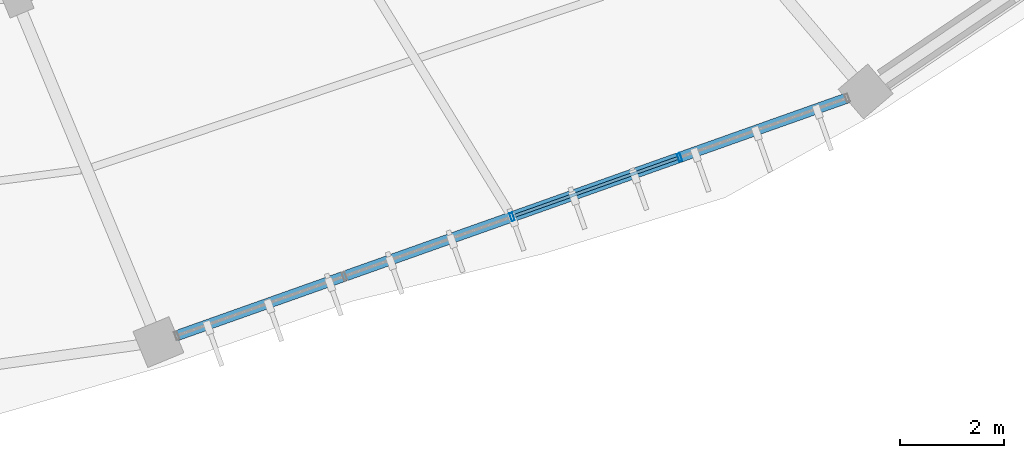
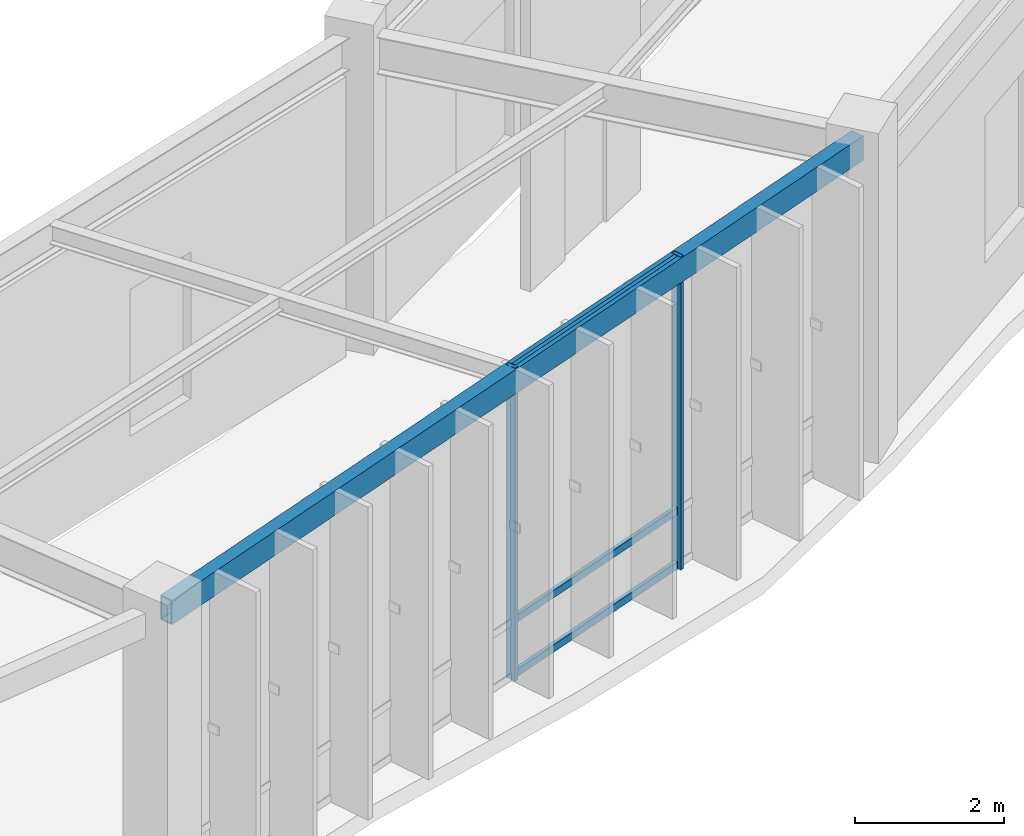
# One storey, part 62 of 157: 5 members, 1 beam, 1 element without a shape of its own.
"""IFC4 building model written with IfcOpenShell, lengths in metres."""

from ifc_helpers import new_model, si_unit, direction, frame, origin, origin_2d, place, context, subcontext, project, spatial, hollow_rectangle, extrude, material, material_profile, profile_set, type_object, element, aggregate, save


model = new_model("IFC4")

# Units and contexts
model_context = context("Model", 3, precision=1e-05, world=origin(), true_north=direction((0.0, 1.0)))
body_context = subcontext(model_context, "Body", "Model", "MODEL_VIEW")
ifc_project = project(units=[si_unit("LENGTHUNIT", "METRE"), si_unit("AREAUNIT", "SQUARE_METRE"), si_unit("VOLUMEUNIT", "CUBIC_METRE"), si_unit("PLANEANGLEUNIT", "RADIAN"), si_unit("MASSUNIT", "GRAM", prefix="KILO"), si_unit("THERMODYNAMICTEMPERATUREUNIT", "KELVIN"), si_unit("POWERUNIT", "WATT")], contexts=[model_context])

# Site, building, storey
site_placement = place(None, origin())
site = spatial("IfcSite", under=ifc_project, at=site_placement, CompositionType="ELEMENT")
building_placement = place(site_placement, origin())
building = spatial("IfcBuilding", under=site, at=building_placement, Name="Darbajah Civic Hall", CompositionType="ELEMENT")
storey_placement = place(building_placement, origin())
storey = spatial("IfcBuildingStorey", under=building, at=storey_placement, Name="L00", CompositionType="ELEMENT", Elevation=0.0)

# Curtain wall, members
ifc_material_1 = material(Name="Anodised Bronze Aluminium and Low-E Glazing", Category="aluminium")
curtain_wall_type = type_object("IfcCurtainWallType", Name="Unitised Curtain Wall CW-15 13700x5100", PredefinedType="USERDEFINED", material=ifc_material_1)
curtain_wall_placement = place(storey_placement, origin())
curtain_wall = element("IfcCurtainWall", 1, at=curtain_wall_placement, inside=storey, type_object=curtain_wall_type, Name="L00 unitised curtain wall CW-V1O-L00-16", ObjectType="UNITISED CURTAIN WALL", PredefinedType="USERDEFINED")
ifc_material_2 = material(Name="Anodised Bronze Aluminium", Category="aluminium")
ifc_material_profile_1 = material_profile(ifc_material_2, hollow_rectangle(XDim=0.06005859375, YDim=0.159912109375, WallThickness=0.00341796875, at=origin_2d()), Name="ALU MULLION 60x160")
ifc_profile_set_1 = profile_set([ifc_material_profile_1], Name="Anodised Bronze Aluminium")
member_type_1 = type_object("IfcMemberType", Name="ALU MULLION 60x160", PredefinedType="MULLION", material=ifc_profile_set_1)
member_1_placement = place(storey_placement, frame((115.41943359375, 64.956787109375, 0.0), z_axis=(0.0, 0.0, 1.0), x_axis=(0.94252491309, 0.334135882844, 0.0)))
member_1 = element("IfcMember", 2, at=member_1_placement, type_object=member_type_1, Name="CW-V1O-L00-16 mullion 3", PredefinedType="MULLION", context=body_context, shape_type="SweptSolid", body=[
    extrude(hollow_rectangle(XDim=0.06005859375, YDim=0.159912109375, WallThickness=0.00341796875, at=origin_2d()), origin(), (0.0, 0.0, 1.0), 5.1201171875),
])
member_2_placement = place(storey_placement, frame((118.64306640625, 66.099365234375, 0.0), z_axis=(0.0, 0.0, 1.0), x_axis=(0.94252491309, 0.334135882844, 0.0)))
member_2 = element("IfcMember", 3, at=member_2_placement, type_object=member_type_1, Name="CW-V1O-L00-16 mullion 4", PredefinedType="MULLION", context=body_context, shape_type="SweptSolid", body=[
    extrude(hollow_rectangle(XDim=0.06005859375, YDim=0.159912109375, WallThickness=0.00341796875, at=origin_2d()), origin(), (0.0, 0.0, 1.0), 5.1201171875),
])
ifc_material_profile_2 = material_profile(ifc_material_2, hollow_rectangle(XDim=0.06005859375, YDim=0.1201171875, WallThickness=0.003173828125, at=origin_2d()), Name="ALU TRANSOM 60x120")
ifc_profile_set_2 = profile_set([ifc_material_profile_2], Name="Anodised Bronze Aluminium")
member_type_2 = type_object("IfcMemberType", Name="ALU TRANSOM 60x120", PredefinedType="USERDEFINED", material=ifc_profile_set_2)
member_3_placement = place(storey_placement, frame((115.452392578125, 64.968505859375, 0.06005859375), z_axis=(0.942553625563, 0.334054880128, 0.0), x_axis=(-0.334054880128, 0.942553625563, 0.0)))
member_3 = element("IfcMember", 4, at=member_3_placement, type_object=member_type_2, Name="CW-V1O-L00-16 transom 3.1", ObjectType="TRANSOM", PredefinedType="USERDEFINED", context=body_context, shape_type="SweptSolid", body=[
    extrude(hollow_rectangle(XDim=0.06005859375, YDim=0.1201171875, WallThickness=0.003173828125, at=origin_2d()), origin(), (0.0, 0.0, 1.0), 3.35009765625),
])
member_4_placement = place(storey_placement, frame((115.452392578125, 64.968505859375, 0.949951171875), z_axis=(0.942553625563, 0.334054880128, 0.0), x_axis=(-0.334054880128, 0.942553625563, 0.0)))
member_4 = element("IfcMember", 5, at=member_4_placement, type_object=member_type_2, Name="CW-V1O-L00-16 transom 3.2", ObjectType="TRANSOM", PredefinedType="USERDEFINED", context=body_context, shape_type="SweptSolid", body=[
    extrude(hollow_rectangle(XDim=0.06005859375, YDim=0.1201171875, WallThickness=0.003173828125, at=origin_2d()), origin(), (0.0, 0.0, 1.0), 3.35009765625),
])
member_5_placement = place(storey_placement, frame((115.452392578125, 64.968505859375, 5.06005859375), z_axis=(0.942553625563, 0.334054880128, 0.0), x_axis=(-0.334054880128, 0.942553625563, 0.0)))
member_5 = element("IfcMember", 6, at=member_5_placement, type_object=member_type_2, Name="CW-V1O-L00-16 transom 3.3", ObjectType="TRANSOM", PredefinedType="USERDEFINED", context=body_context, shape_type="SweptSolid", body=[
    extrude(hollow_rectangle(XDim=0.06005859375, YDim=0.1201171875, WallThickness=0.003173828125, at=origin_2d()), origin(), (0.0, 0.0, 1.0), 3.35009765625),
])
aggregate(curtain_wall, [member_1, member_2, member_3, member_4, member_5])

# Beam
ifc_material_3 = material(Name="Steel S355JR", Category="steel")
ifc_material_profile_3 = material_profile(ifc_material_3, hollow_rectangle(XDim=0.199951171875, YDim=0.39990234375, WallThickness=0.013916015625, at=origin_2d()), Name="RHS 400x200x14")
ifc_profile_set_3 = profile_set([ifc_material_profile_3], Name="Steel S355JR")
beam_type = type_object("IfcBeamType", Name="RHS 400x200x14", PredefinedType="SPANDREL", material=ifc_profile_set_3)
beam_placement = place(storey_placement, frame((108.6923828125, 62.572265625, 4.919921875), z_axis=(0.942537934189, 0.334099150875, 0.0), x_axis=(-0.334099150875, 0.942537934189, 0.0)))
element("IfcBeam", 7, at=beam_placement, inside=storey, type_object=beam_type, Name="L00 beam SP-RHS400", PredefinedType="SPANDREL", context=body_context, shape_type="SweptSolid", body=[
    extrude(hollow_rectangle(XDim=0.199951171875, YDim=0.39990234375, WallThickness=0.013916015625, at=origin_2d()), origin(), (0.0, 0.0, 1.0), 14.2744140625),
])

save(model, "model.ifc")
